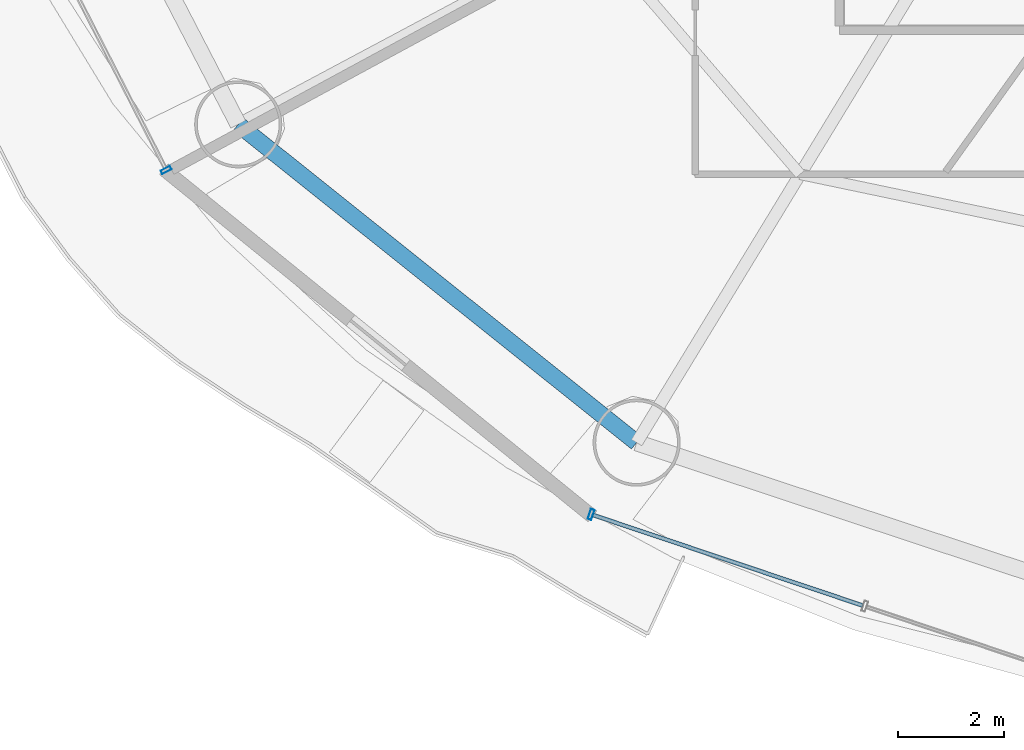
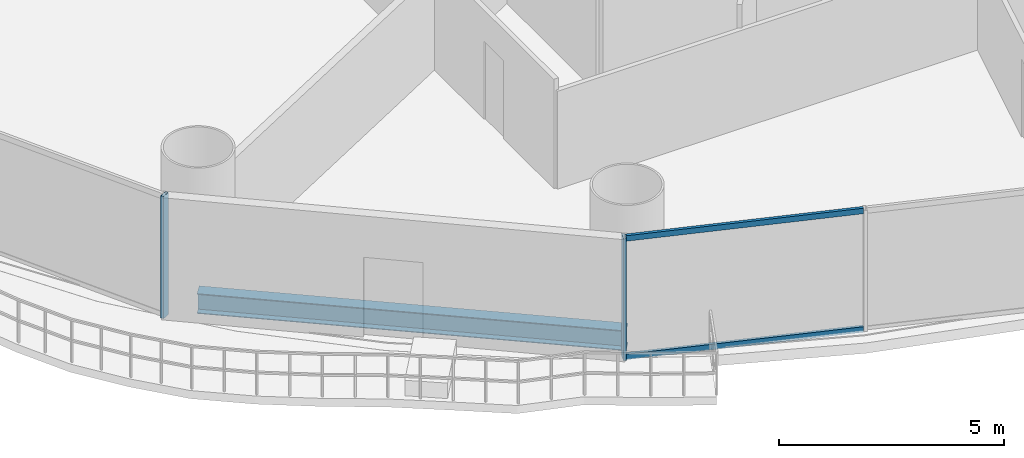
# One storey, part 2 of 30: 4 members, 1 beam, 2 elements without a shape of their own.
"""IFC4 building model written with IfcOpenShell, lengths in metres."""

from ifc_helpers import new_model, si_unit, direction, frame, origin, origin_2d, place, context, subcontext, project, spatial, hollow_rectangle, i_section, extrude, source, transform, mapped, material, material_profile, profile_set, type_object, element, aggregate, save


model = new_model("IFC4")

# Units and contexts
model_context = context("Model", 3, precision=1e-05, world=origin(), true_north=direction((-0.2419218956, 0.970295726276)))
body_context = subcontext(model_context, "Body", "Model", "MODEL_VIEW")
ifc_project = project(units=[si_unit("LENGTHUNIT", "METRE"), si_unit("AREAUNIT", "SQUARE_METRE"), si_unit("VOLUMEUNIT", "CUBIC_METRE"), si_unit("PLANEANGLEUNIT", "RADIAN"), si_unit("MASSUNIT", "GRAM", prefix="KILO")], contexts=[model_context])

# Site, building, storey
site_placement = place(None, origin())
site = spatial("IfcSite", under=ifc_project, at=site_placement, CompositionType="ELEMENT")
building_placement = place(site_placement, origin())
building = spatial("IfcBuilding", under=site, at=building_placement, Name="Cobrevalo Terracotta Tower", CompositionType="ELEMENT")
storey_placement = place(building_placement, frame((0.0, 0.0, 56.39990234375)))
storey = spatial("IfcBuildingStorey", under=building, at=storey_placement, Name="L14", CompositionType="ELEMENT", Elevation=56.39990234375)

# Beam
ifc_material_1 = material(Name="Steel S355", Category="steel")
ifc_material_profile_1 = material_profile(ifc_material_1, i_section(OverallWidth=0.31201171875, OverallDepth=0.54296875, WebThickness=0.0126953125, FlangeThickness=0.020263671875, at=origin_2d()), Name="W 530x150")
ifc_profile_set_1 = profile_set([ifc_material_profile_1], Name="Steel S355")
beam_type = type_object("IfcBeamType", Name="Structural Spandrel W 530x150 (Steel S355)", PredefinedType="SPANDREL", material=ifc_profile_set_1)
beam_placement = place(storey_placement, frame((15.25927734375, 14.660888671875, -0.551513671875), z_axis=(0.781280479891, -0.62418011162, 0.0), x_axis=(0.62418011162, 0.781280479891, 0.0)))
element("IfcBeam", 1, at=beam_placement, inside=storey, type_object=beam_type, Name="L14 perimeter ring spandrel 10", PredefinedType="SPANDREL", context=body_context, shape_type="SweptSolid", body=[
    extrude(i_section(OverallWidth=0.31201171875, OverallDepth=0.54296875, WebThickness=0.0126953125, FlangeThickness=0.020263671875, at=origin_2d()), origin(), (0.0, 0.0, 1.0), 9.658447265625),
])

# Curtain wall, member
ifc_material_2 = material(Name="Anodized aluminium", Category="aluminium")
curtain_wall_type = type_object("IfcCurtainWallType", Name="Lower-tower unitised acoustic low-E curtain wall CW-U1", PredefinedType="NOTDEFINED", material=ifc_material_2)
curtain_wall_1_placement = place(storey_placement, origin())
curtain_wall_1 = element("IfcCurtainWall", 2, at=curtain_wall_1_placement, inside=storey, type_object=curtain_wall_type, Name="L14 curtain wall CW-L14-S09", PredefinedType="NOTDEFINED")
ifc_material_profile_2 = material_profile(ifc_material_2, hollow_rectangle(XDim=0.074951171875, YDim=0.199951171875, WallThickness=0.0048828125, at=origin_2d()), Name="CWM 75x200")
ifc_profile_set_2 = profile_set([ifc_material_profile_2], Name="Anodized aluminium")
member_type_1 = type_object("IfcMemberType", Name="Lower/mid tower unitised mullion 75x200", PredefinedType="MULLION", material=ifc_profile_set_2)
shared_shape_1 = source(origin(), body_context, "Body", "SweptSolid", [
    extrude(hollow_rectangle(XDim=0.074951171875, YDim=0.199951171875, WallThickness=0.0048828125, at=origin_2d()), origin(), (0.0, 0.0, 1.0), 3.320068359375),
])
member_1_placement = place(storey_placement, frame((13.89404296875, 13.79638671875, 0.0), z_axis=(0.0, 0.0, 1.0), x_axis=(0.455234136597, -0.890371765543, 0.0)))
member_1 = element("IfcMember", 3, at=member_1_placement, type_object=member_type_1, Name="CW-L14-S09 vertical mullion 03", PredefinedType="MULLION", context=body_context, shape_type="MappedRepresentation", body=[
    mapped(shared_shape_1, transform((0.0, 0.0, 0.0), scale=1.0)),
])
aggregate(curtain_wall_1, [member_1])

# Curtain wall, members
curtain_wall_2_placement = place(storey_placement, origin())
curtain_wall_2 = element("IfcCurtainWall", 4, at=curtain_wall_2_placement, inside=storey, type_object=curtain_wall_type, Name="L14 curtain wall CW-L14-S11", PredefinedType="NOTDEFINED")
member_2_placement = place(storey_placement, frame((21.943115234375, 7.272705078125, 0.0), z_axis=(0.0, 0.0, 1.0), x_axis=(0.948046393597, -0.318132103987, 0.0)))
member_2 = element("IfcMember", 5, at=member_2_placement, type_object=member_type_1, Name="CW-L14-S11 vertical mullion 01", PredefinedType="MULLION", context=body_context, shape_type="MappedRepresentation", body=[
    mapped(shared_shape_1, transform((0.0, 0.0, 0.0), scale=1.0)),
])
ifc_material_profile_3 = material_profile(ifc_material_2, hollow_rectangle(XDim=0.074951171875, YDim=0.14990234375, WallThickness=0.00439453125, at=origin_2d()), Name="CWT 75x150")
ifc_profile_set_3 = profile_set([ifc_material_profile_3], Name="Anodized aluminium")
member_type_2 = type_object("IfcMemberType", Name="Tower unitised aluminium transom 75x150", PredefinedType="USERDEFINED", material=ifc_profile_set_3)
shared_shape_2 = source(origin(), body_context, "Body", "SweptSolid", [
    extrude(hollow_rectangle(XDim=0.074951171875, YDim=0.14990234375, WallThickness=0.00439453125, at=origin_2d()), origin(), (0.0, 0.0, 1.0), 5.387939453125),
])
member_3_placement = place(storey_placement, frame((21.98095703125, 7.260009765625, 0.050048828125), z_axis=(0.94804244582, -0.318143868278, 0.0), x_axis=(0.318143868278, 0.94804244582, 0.0)))
member_3 = element("IfcMember", 6, at=member_3_placement, type_object=member_type_2, Name="CW-L14-S11 transom B01-T1", ObjectType="TRANSOM", PredefinedType="USERDEFINED", context=body_context, shape_type="MappedRepresentation", body=[
    mapped(shared_shape_2, transform((0.0, 0.0, 0.0), scale=1.0)),
])
member_4_placement = place(storey_placement, frame((21.98095703125, 7.260009765625, 3.27001953125), z_axis=(0.94804244582, -0.318143868278, 0.0), x_axis=(0.318143868278, 0.94804244582, 0.0)))
member_4 = element("IfcMember", 7, at=member_4_placement, type_object=member_type_2, Name="CW-L14-S11 transom B01-T2", ObjectType="TRANSOM", PredefinedType="USERDEFINED", context=body_context, shape_type="MappedRepresentation", body=[
    mapped(shared_shape_2, transform((0.0, 0.0, 0.0), scale=1.0)),
])
aggregate(curtain_wall_2, [member_2, member_3, member_4])

save(model, "model.ifc")
